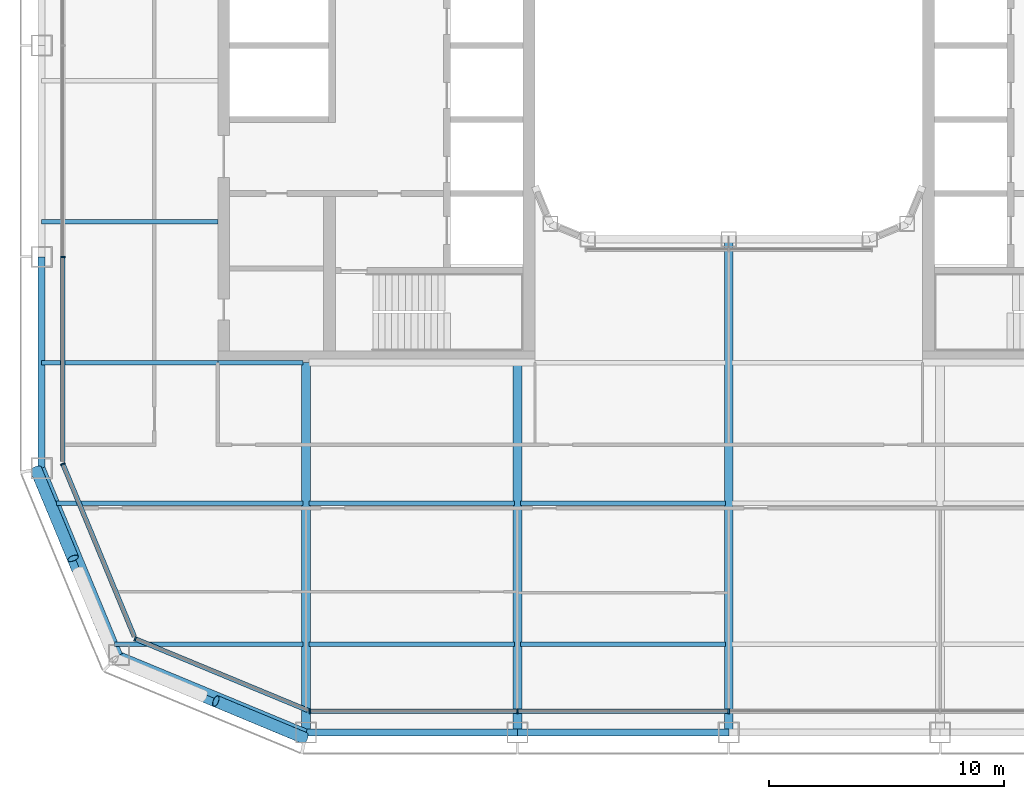
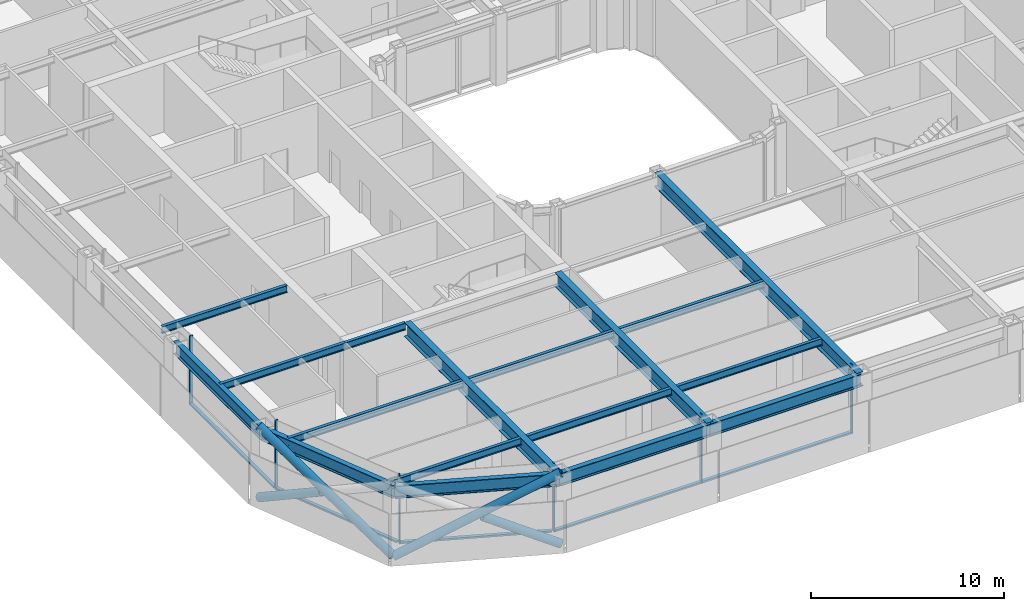
# One storey, part 2 of 24: 17 beams, 15 members, 4 elements without a shape of their own.
"""IFC4 building model written with IfcOpenShell, lengths in metres."""

import ifcopenshell
import ifcopenshell.guid

model = None  # the IFC model being written
_history = None  # IfcOwnerHistory: only IFC2X3 demands one
_inside = {}  # id of a spatial element -> (the spatial element, [elements in it])
_under = {}  # id of a project, library or spatial element -> (it, [spatial elements below it])
_declared = {}  # id of a project -> (the project, [libraries it declares])
_typed = {}  # id of a type object -> (the type object, [elements of that type])
_made_of = {}  # id of a material, layer set ... -> (it, [elements and type objects made of it])


def new_model(schema):
    """Start an empty IFC model of exactly this schema.

    Asked for "IFC4X3", IfcOpenShell would pick the latest addendum, in which some entities
    have other attributes; the version numbers below select the first issue.
    IFC2X3 requires an IfcOwnerHistory on every rooted entity: one is made here for all.
    """
    global model, _history
    if schema == "IFC4X3":
        model = ifcopenshell.file(schema_version=(4, 3, 0, 0))
    else:
        model = ifcopenshell.file(schema=schema)
    _inside.clear()
    _under.clear()
    _declared.clear()
    _typed.clear()
    _made_of.clear()
    _history = None
    if model.schema == "IFC2X3":
        org = make("IfcOrganization", Name="unknown")
        user = make(
            "IfcPersonAndOrganization",
            ThePerson=make("IfcPerson", FamilyName="unknown"),
            TheOrganization=org,
        )
        app = make(
            "IfcApplication",
            ApplicationDeveloper=org,
            Version="unknown",
            ApplicationFullName="unknown",
            ApplicationIdentifier="unknown",
        )
        _history = make(
            "IfcOwnerHistory",
            OwningUser=user,
            OwningApplication=app,
            ChangeAction="ADDED",
            CreationDate=0,
        )
    return model


def make(cls, **values):
    """One entity of the class cls with the attributes given. An attribute that is None is left unset."""
    return model.create_entity(
        cls, **{name: value for name, value in values.items() if value is not None}
    )


def rooted(cls, **values):
    """An entity with a GlobalId (a new one), such as an element, a storey or a relation."""
    return make(cls, GlobalId=ifcopenshell.guid.new(), OwnerHistory=_history, **values)


def si_unit(unit_type, name, prefix=None):
    """IfcSIUnit, for example si_unit("LENGTHUNIT", "METRE", prefix="MILLI")."""
    return make("IfcSIUnit", UnitType=unit_type, Prefix=prefix, Name=name)


def assignment(units):
    """IfcUnitAssignment: the units of a project."""
    return None if units is None else make("IfcUnitAssignment", Units=units)


def point(xyz):
    """IfcCartesianPoint."""
    return None if xyz is None else make("IfcCartesianPoint", Coordinates=xyz)


def direction(xyz):
    """IfcDirection."""
    return None if xyz is None else make("IfcDirection", DirectionRatios=xyz)


def frame(location, z_axis=None, x_axis=None):
    """IfcAxis2Placement3D, a coordinate frame: its origin and axes. An axis left out is left unset."""
    return make(
        "IfcAxis2Placement3D",
        Location=point(location),
        Axis=direction(z_axis),
        RefDirection=direction(x_axis),
    )


def frame_2d(location, x_axis=None):
    """IfcAxis2Placement2D, a coordinate frame in the plane: its origin and x axis."""
    return make(
        "IfcAxis2Placement2D", Location=point(location), RefDirection=direction(x_axis)
    )


def origin():
    """The frame at (0, 0, 0) with its axes left unset."""
    return frame((0.0, 0.0, 0.0))


def origin_2d():
    """The frame at (0, 0) in the plane with its x axis left unset."""
    return frame_2d((0.0, 0.0))


def place(relative_to, where):
    """IfcLocalPlacement: puts the frame where relative to a parent placement (None: the world)."""
    return make(
        "IfcLocalPlacement", PlacementRelTo=relative_to, RelativePlacement=where
    )


def context(
    kind, dimensions, precision=None, world=None, true_north=None, identifier=None
):
    """IfcGeometricRepresentationContext, for example the 3D "Model" context."""
    return make(
        "IfcGeometricRepresentationContext",
        ContextIdentifier=identifier,
        ContextType=kind,
        CoordinateSpaceDimension=dimensions,
        Precision=precision,
        WorldCoordinateSystem=world,
        TrueNorth=true_north,
    )


def subcontext(parent, identifier, kind, view, scale=None):
    """IfcGeometricRepresentationSubContext, for example "Body" below "Model"."""
    return make(
        "IfcGeometricRepresentationSubContext",
        ContextIdentifier=identifier,
        ContextType=kind,
        ParentContext=parent,
        TargetScale=scale,
        TargetView=view,
    )


def project(units=None, contexts=None):
    """IfcProject with its units and contexts."""
    return rooted(
        "IfcProject",
        Name="project",
        RepresentationContexts=contexts,
        UnitsInContext=assignment(units),
    )


def spatial(cls, under=None, at=None, **own):
    """A site, building, storey or space (cls), placed at a placement, below another one or the project."""
    s = rooted(cls, ObjectPlacement=at, **own)
    if under is not None:
        _under.setdefault(under.id(), (under, []))[1].append(s)
    return s


def profile(cls, at=None, kind="AREA", **sizes):
    """A parametric profile (cls). Its sizes go by their IFC names, for example OverallWidth=200.0."""
    return make(cls, ProfileType=kind, Position=at, **sizes)


def rectangle(**sizes):
    """IfcRectangleProfileDef."""
    return profile("IfcRectangleProfileDef", **sizes)


def hollow_circle(**sizes):
    """IfcCircleHollowProfileDef."""
    return profile("IfcCircleHollowProfileDef", **sizes)


def i_section(**sizes):
    """IfcIShapeProfileDef."""
    return profile("IfcIShapeProfileDef", **sizes)


def extrude(swept, where, along, depth):
    """IfcExtrudedAreaSolid: the profile swept, set in the frame where, extruded along a direction by depth."""
    return make(
        "IfcExtrudedAreaSolid",
        SweptArea=swept,
        Position=where,
        ExtrudedDirection=direction(along),
        Depth=depth,
    )


def shape(context_of_items, identifier, shape_type, items):
    """IfcShapeRepresentation: the items that make up one representation, for example the "Body"."""
    return make(
        "IfcShapeRepresentation",
        ContextOfItems=context_of_items,
        RepresentationIdentifier=identifier,
        RepresentationType=shape_type,
        Items=items,
    )


def material(Name=None, Category=None):
    """IfcMaterial."""
    return make("IfcMaterial", Name=Name, Category=Category)


def layer(
    of_material, thickness, ventilated=None, Name=None, Category=None, Priority=None
):
    """IfcMaterialLayer: one layer of a wall or slab, of a material (None: an air gap)."""
    return make(
        "IfcMaterialLayer",
        Material=of_material,
        LayerThickness=thickness,
        IsVentilated=ventilated,
        Name=Name,
        Category=Category,
        Priority=Priority,
    )


def layer_set(layers, Name=None):
    """IfcMaterialLayerSet."""
    return make("IfcMaterialLayerSet", MaterialLayers=layers, LayerSetName=Name)


def material_profile(
    of_material, cross_section, Name=None, Category=None, Priority=None
):
    """IfcMaterialProfile: a cross section and its material."""
    return make(
        "IfcMaterialProfile",
        Name=Name,
        Material=of_material,
        Profile=cross_section,
        Priority=Priority,
        Category=Category,
    )


def profile_set(profiles, Name=None, composite=None):
    """IfcMaterialProfileSet."""
    return make(
        "IfcMaterialProfileSet",
        Name=Name,
        MaterialProfiles=profiles,
        CompositeProfile=composite,
    )


def made_of(thing, what):
    """Note that an element or type object is made of a material, layer set ...; save() writes the relation."""
    if what is not None:
        _made_of.setdefault(what.id(), (what, []))[1].append(thing)
    return thing


def type_object(cls, material=None, **own):
    """A type object (cls), such as IfcWallType, which elements share."""
    return made_of(rooted(cls, **own), material)


def element(
    cls,
    number,
    at=None,
    inside=None,
    cuts=None,
    type_object=None,
    material=None,
    context=None,
    identifier="Body",
    shape_type=None,
    held_by="IfcProductDefinitionShape",
    body=None,
    shapes=None,
    **own,
):
    """One element of the class cls, such as IfcWall. Its Tag is "e" and its number.

    at: its placement. inside: the storey or other place that contains it. cuts: it is an
    opening in that element (IfcRelVoidsElement). A single representation is given by context,
    identifier, shape_type and body (its items); several are given by shapes. held_by: the class
    of the entity that holds the representations. save() writes the other relations.
    """
    e = rooted(cls, Tag="e%d" % number, ObjectPlacement=at, **own)
    if body is not None:
        shapes = [shape(context, identifier, shape_type, body)]
    if shapes is not None:
        e.Representation = make(held_by, Representations=shapes)
    if inside is not None:
        _inside.setdefault(inside.id(), (inside, []))[1].append(e)
    if cuts is not None:
        rooted(
            "IfcRelVoidsElement", RelatingBuildingElement=cuts, RelatedOpeningElement=e
        )
    if type_object is not None:
        _typed.setdefault(type_object.id(), (type_object, []))[1].append(e)
    return made_of(e, material)


def aggregate(whole, parts):
    """IfcRelAggregates: a whole, such as a stair, and the parts it consists of."""
    return rooted("IfcRelAggregates", RelatingObject=whole, RelatedObjects=parts)


def save(model, path):
    """Write the relations noted so far, then the file.

    IfcRelAggregates (storeys below a building ...), IfcRelContainedInSpatialStructure (elements
    in a storey), IfcRelDefinesByType, IfcRelAssociatesMaterial and IfcRelDeclares: one each for
    every whole, place, type object, material and project.
    """
    for whole, parts in _under.values():
        aggregate(whole, parts)
    for where, things in _inside.values():
        rooted(
            "IfcRelContainedInSpatialStructure",
            RelatedElements=things,
            RelatingStructure=where,
        )
    for kind, things in _typed.values():
        rooted("IfcRelDefinesByType", RelatedObjects=things, RelatingType=kind)
    for what, things in _made_of.values():
        rooted("IfcRelAssociatesMaterial", RelatedObjects=things, RelatingMaterial=what)
    for by, libraries in _declared.values():
        rooted("IfcRelDeclares", RelatingContext=by, RelatedDefinitions=libraries)
    model.write(path)


model = new_model("IFC4")

# Units and contexts
model_context = context("Model", 3, precision=1e-05, world=origin(), true_north=direction((0.0, 1.0)))
body_context = subcontext(model_context, "Body", "Model", "MODEL_VIEW")
ifc_project = project(units=[si_unit("LENGTHUNIT", "METRE"), si_unit("AREAUNIT", "SQUARE_METRE"), si_unit("VOLUMEUNIT", "CUBIC_METRE"), si_unit("PLANEANGLEUNIT", "RADIAN"), si_unit("MASSUNIT", "GRAM", prefix="KILO")], contexts=[model_context])

# Site, building, storey
site_placement = place(None, origin())
site = spatial("IfcSite", under=ifc_project, at=site_placement, CompositionType="ELEMENT")
building_placement = place(site_placement, origin())
building = spatial("IfcBuilding", under=site, at=building_placement, Name="Siwar Civic Tower", CompositionType="ELEMENT")
storey_placement = place(building_placement, frame((0.0, 0.0, 149.699951171875)))
storey = spatial("IfcBuildingStorey", under=building, at=storey_placement, Name="L32", CompositionType="ELEMENT", Elevation=149.699951171875)

# Curtain wall, members
ifc_material_1 = material(Name="Aluminium and glass", Category="aluminium")
ifc_layer_1 = layer(ifc_material_1, 0.199951171875)
ifc_layer_set_1 = layer_set([ifc_layer_1], Name="Aluminium and glass")
curtain_wall_type_1 = type_object("IfcCurtainWallType", Name="ENV-CW-B", PredefinedType="NOTDEFINED", material=ifc_layer_set_1)
curtain_wall_1_placement = place(storey_placement, origin())
curtain_wall_1 = element("IfcCurtainWall", 1, at=curtain_wall_1_placement, inside=storey, type_object=curtain_wall_type_1, Name="Curtain wall B S", PredefinedType="NOTDEFINED")
ifc_material_2 = material(Name="Aluminium 6063-T6", Category="aluminium")
ifc_material_profile_1 = material_profile(ifc_material_2, rectangle(XDim=0.199951171875, YDim=0.06494140625, at=origin_2d()), Name="AL 200x65")
ifc_profile_set_1 = profile_set([ifc_material_profile_1], Name="Aluminium 6063-T6")
member_type_1 = type_object("IfcMemberType", Name="ENV-MULLION-B", PredefinedType="MULLION", material=ifc_profile_set_1)
member_1_placement = place(storey_placement, frame((-17.821044921875, -28.35009765625, 0.0), z_axis=(0.0, 0.0, 1.0), x_axis=(0.0, 1.0, 0.0)))
member_1 = element("IfcMember", 2, at=member_1_placement, type_object=member_type_1, Name="Mullion B S 1", PredefinedType="MULLION", context=body_context, shape_type="SweptSolid", body=[
    extrude(rectangle(XDim=0.199951171875, YDim=0.06494140625, at=origin_2d()), origin(), (0.0, 0.0, 1.0), 4.35009765625),
])
member_2_placement = place(storey_placement, frame((-9.0, -28.35009765625, 0.0), z_axis=(0.0, 0.0, 1.0), x_axis=(0.0, 1.0, 0.0)))
member_2 = element("IfcMember", 3, at=member_2_placement, type_object=member_type_1, Name="Mullion B S 2", PredefinedType="MULLION", context=body_context, shape_type="SweptSolid", body=[
    extrude(rectangle(XDim=0.199951171875, YDim=0.06494140625, at=origin_2d()), origin(), (0.0, 0.0, 1.0), 4.35009765625),
])
member_3_placement = place(storey_placement, frame((0.0, -28.35009765625, 0.0), z_axis=(0.0, 0.0, 1.0), x_axis=(0.0, 1.0, 0.0)))
member_3 = element("IfcMember", 4, at=member_3_placement, type_object=member_type_1, Name="Mullion B S 3", PredefinedType="MULLION", context=body_context, shape_type="SweptSolid", body=[
    extrude(rectangle(XDim=0.199951171875, YDim=0.06494140625, at=origin_2d()), origin(), (0.0, 0.0, 1.0), 4.35009765625),
])

# Curtain wall, member
curtain_wall_2_placement = place(storey_placement, origin())
curtain_wall_2 = element("IfcCurtainWall", 5, at=curtain_wall_2_placement, inside=storey, type_object=curtain_wall_type_1, Name="Curtain wall B W", PredefinedType="NOTDEFINED")
member_4_placement = place(storey_placement, frame((-28.35009765625, -9.0, 0.0), z_axis=(0.0, 0.0, 1.0), x_axis=(1.0, 0.0, 0.0)))
member_4 = element("IfcMember", 6, at=member_4_placement, type_object=member_type_1, Name="Mullion B W 4", PredefinedType="MULLION", context=body_context, shape_type="SweptSolid", body=[
    extrude(rectangle(XDim=0.199951171875, YDim=0.06494140625, at=origin_2d()), origin(), (0.0, 0.0, 1.0), 4.35009765625),
])

ifc_material_3 = material(Name="Aluminium clad insulated panel", Category="aluminium")
ifc_layer_2 = layer(ifc_material_3, 0.199951171875)
ifc_layer_set_2 = layer_set([ifc_layer_2], Name="Aluminium clad insulated panel")
curtain_wall_type_2 = type_object("IfcCurtainWallType", Name="ENV-CW-BX", PredefinedType="NOTDEFINED", material=ifc_layer_set_2)
curtain_wall_3_placement = place(storey_placement, origin())
curtain_wall_3 = element("IfcCurtainWall", 7, at=curtain_wall_3_placement, inside=storey, type_object=curtain_wall_type_2, Name="Curtain wall B SW1", PredefinedType="NOTDEFINED")
member_5_placement = place(storey_placement, frame((-28.35009765625, -17.821044921875, 0.0), z_axis=(0.0, 0.0, 1.0), x_axis=(0.923879532511, 0.382683432365, 0.0)))
member_5 = element("IfcMember", 8, at=member_5_placement, type_object=member_type_1, Name="Mullion B SW1 1", PredefinedType="MULLION", context=body_context, shape_type="SweptSolid", body=[
    extrude(rectangle(XDim=0.199951171875, YDim=0.06494140625, at=origin_2d()), origin(), (0.0, 0.0, 1.0), 4.35009765625),
])

curtain_wall_4_placement = place(storey_placement, origin())
curtain_wall_4 = element("IfcCurtainWall", 9, at=curtain_wall_4_placement, inside=storey, type_object=curtain_wall_type_2, Name="Curtain wall B SW2", PredefinedType="NOTDEFINED")
member_6_placement = place(storey_placement, frame((-25.26611328125, -25.26611328125, 0.0), z_axis=(0.0, 0.0, 1.0), x_axis=(0.382683432365, 0.923879532511, 0.0)))
member_6 = element("IfcMember", 10, at=member_6_placement, type_object=member_type_1, Name="Mullion B SW2 1", PredefinedType="MULLION", context=body_context, shape_type="SweptSolid", body=[
    extrude(rectangle(XDim=0.199951171875, YDim=0.06494140625, at=origin_2d()), origin(), (0.0, 0.0, 1.0), 4.35009765625),
])

# Member
ifc_material_4 = material(Name="Aluminium 6063-T6", Category="aluminium")
ifc_material_profile_2 = material_profile(ifc_material_4, rectangle(XDim=0.199951171875, YDim=0.110107421875, at=origin_2d()), Name="AL 200x110")
ifc_profile_set_2 = profile_set([ifc_material_profile_2], Name="Aluminium 6063-T6")
member_type_2 = type_object("IfcMemberType", Name="ENV-TRANSOM-B", PredefinedType="USERDEFINED", material=ifc_profile_set_2)
member_7_placement = place(storey_placement, frame((-17.78857421875, -28.35009765625, 0.054931640625), z_axis=(1.0, 0.0, 0.0), x_axis=(0.0, 1.0, 0.0)))
member_7 = element("IfcMember", 11, at=member_7_placement, type_object=member_type_2, Name="Transom B S 1", ObjectType="TRANSOM", PredefinedType="USERDEFINED", context=body_context, shape_type="SweptSolid", body=[
    extrude(rectangle(XDim=0.199951171875, YDim=0.110107421875, at=origin_2d()), origin(), (0.0, 0.0, 1.0), 8.756103515625),
])

member_8_placement = place(storey_placement, frame((-8.967529296875, -28.35009765625, 0.054931640625), z_axis=(1.0, 0.0, 0.0), x_axis=(0.0, 1.0, 0.0)))
member_8 = element("IfcMember", 12, at=member_8_placement, type_object=member_type_2, Name="Transom B S 2", ObjectType="TRANSOM", PredefinedType="USERDEFINED", context=body_context, shape_type="SweptSolid", body=[
    extrude(rectangle(XDim=0.199951171875, YDim=0.110107421875, at=origin_2d()), origin(), (0.0, 0.0, 1.0), 8.93505859375),
])

aggregate(curtain_wall_1, [member_1, member_2, member_3, member_7, member_8])

member_9_placement = place(storey_placement, frame((-28.35009765625, -9.032470703125, 0.054931640625), z_axis=(0.0, -1.0, 0.0), x_axis=(1.0, 0.0, 0.0)))
member_9 = element("IfcMember", 13, at=member_9_placement, type_object=member_type_2, Name="Transom B W 4", ObjectType="TRANSOM", PredefinedType="USERDEFINED", context=body_context, shape_type="SweptSolid", body=[
    extrude(rectangle(XDim=0.199951171875, YDim=0.110107421875, at=origin_2d()), origin(), (0.0, 0.0, 1.0), 8.6748046875),
])

aggregate(curtain_wall_2, [member_4, member_9])

member_10_placement = place(storey_placement, frame((-28.337646484375, -17.85107421875, 0.054931640625), z_axis=(0.382699695651, -0.92387279587, 0.0), x_axis=(0.92387279587, 0.382699695651, 0.0)))
member_10 = element("IfcMember", 14, at=member_10_placement, type_object=member_type_2, Name="Transom B SW1 1", ObjectType="TRANSOM", PredefinedType="USERDEFINED", context=body_context, shape_type="SweptSolid", body=[
    extrude(rectangle(XDim=0.199951171875, YDim=0.110107421875, at=origin_2d()), origin(), (0.0, 0.0, 1.0), 7.912353515625),
])

aggregate(curtain_wall_3, [member_5, member_10])

member_11_placement = place(storey_placement, frame((-25.236083984375, -25.278564453125, 0.054931640625), z_axis=(0.923883705044, -0.382673358825, 0.0), x_axis=(0.382673358825, 0.923883705044, 0.0)))
member_11 = element("IfcMember", 15, at=member_11_placement, type_object=member_type_2, Name="Transom B SW2 1", ObjectType="TRANSOM", PredefinedType="USERDEFINED", context=body_context, shape_type="SweptSolid", body=[
    extrude(rectangle(XDim=0.199951171875, YDim=0.110107421875, at=origin_2d()), origin(), (0.0, 0.0, 1.0), 7.912353515625),
])

aggregate(curtain_wall_4, [member_6, member_11])

# Members
ifc_material_5 = material(Name="Steel S355", Category="steel")
ifc_material_profile_3 = material_profile(ifc_material_5, hollow_circle(Radius=0.25390625, WallThickness=0.02490234375, at=origin_2d()), Name="CHS508x25")
ifc_profile_set_3 = profile_set([ifc_material_profile_3], Name="Steel S355")
member_type_3 = type_object("IfcMemberType", Name="STR-BR-CHS508x25", PredefinedType="BRACE", material=ifc_profile_set_3)
member_12_placement = place(storey_placement, frame((-26.1318359375, -26.1318359375, 0.0), z_axis=(0.821142553604, -0.341671493852, 0.457149315816), x_axis=(0.384163874976, 0.923264922524, 0.0)))
element("IfcMember", 16, at=member_12_placement, inside=storey, type_object=member_type_3, Name="L32/brc/BSW1-11-0-1", PredefinedType="BRACE", context=body_context, shape_type="SweptSolid", body=[
    extrude(hollow_circle(Radius=0.25390625, WallThickness=0.02490234375, at=origin_2d()), origin(), (0.0, 0.0, 1.0), 9.843505859375),
])
member_13_placement = place(storey_placement, frame((-18.048828125, -29.4951171875, 0.0), z_axis=(-0.821126041429, 0.341677318012, 0.457174621391), x_axis=(-0.384176042158, -0.923259859753, 0.0)))
element("IfcMember", 17, at=member_13_placement, inside=storey, type_object=member_type_3, Name="L32/brc/BSW1-11-0-2", PredefinedType="BRACE", context=body_context, shape_type="SweptSolid", body=[
    extrude(hollow_circle(Radius=0.25390625, WallThickness=0.02490234375, at=origin_2d()), origin(), (0.0, 0.0, 1.0), 4.614501953125),
])
member_14_placement = place(storey_placement, frame((-26.1318359375, -26.1318359375, 0.0), z_axis=(-0.341671493852, 0.821142553604, 0.457149315816), x_axis=(-0.923264922524, -0.384163874976, 0.0)))
element("IfcMember", 18, at=member_14_placement, inside=storey, type_object=member_type_3, Name="L32/brc/BSW1-11-0-0", PredefinedType="BRACE", context=body_context, shape_type="SweptSolid", body=[
    extrude(hollow_circle(Radius=0.25390625, WallThickness=0.02490234375, at=origin_2d()), origin(), (0.0, 0.0, 1.0), 9.843505859375),
])
member_15_placement = place(storey_placement, frame((-29.4951171875, -18.048828125, 0.0), z_axis=(0.341677318012, -0.821126041429, 0.457174621391), x_axis=(0.923259859753, 0.384176042158, 0.0)))
element("IfcMember", 19, at=member_15_placement, inside=storey, type_object=member_type_3, Name="L32/brc/BSW1-11-0-4", PredefinedType="BRACE", context=body_context, shape_type="SweptSolid", body=[
    extrude(hollow_circle(Radius=0.25390625, WallThickness=0.02490234375, at=origin_2d()), origin(), (0.0, 0.0, 1.0), 4.614501953125),
])

# Beams
ifc_material_6 = material(Name="Steel S355", Category="steel")
ifc_material_profile_4 = material_profile(ifc_material_6, i_section(OverallWidth=0.18994140625, OverallDepth=0.449951171875, WebThickness=0.009521484375, FlangeThickness=0.0146484375, FilletRadius=0.02099609375, at=origin_2d()), Name="IPE450")
ifc_profile_set_4 = profile_set([ifc_material_profile_4], Name="Steel S355")
beam_type_1 = type_object("IfcBeamType", Name="STR-FB-IPE450", PredefinedType="JOIST", material=ifc_profile_set_4)
beam_1_placement = place(storey_placement, frame((-26.143310546875, -25.5, 4.125), z_axis=(1.0, 0.0, 0.0), x_axis=(0.0, 1.0, 0.0)))
element("IfcBeam", 20, at=beam_1_placement, inside=storey, type_object=beam_type_1, Name="L32/bm/F001", PredefinedType="JOIST", context=body_context, shape_type="SweptSolid", body=[
    extrude(i_section(OverallWidth=0.18994140625, OverallDepth=0.449951171875, WebThickness=0.009521484375, FlangeThickness=0.0146484375, FilletRadius=0.02099609375, at=origin_2d()), origin(), (0.0, 0.0, 1.0), 8.013427734375),
])
for number, where, z_axis, x_axis, name in (
    (21, (-17.8701171875, -25.5, 4.125), (1.0, 0.0, 0.0), (0.0, 1.0, 0.0), "L32/bm/F002"),
    (22, (-8.8701171875, -25.5, 4.125), (1.0, 0.0, 0.0), (0.0, 1.0, 0.0), "L32/bm/F003"),
):
    element("IfcBeam", number, at=place(storey_placement, frame(where, z_axis=z_axis, x_axis=x_axis)), inside=storey, type_object=beam_type_1, Name=name, PredefinedType="JOIST", context=body_context, shape_type="SweptSolid", body=[
        extrude(i_section(OverallWidth=0.18994140625, OverallDepth=0.449951171875, WebThickness=0.009521484375, FlangeThickness=0.0146484375, FilletRadius=0.02099609375, at=origin_2d()), origin(), (0.0, 0.0, 1.0), 8.740234375),
    ])
beam_2_placement = place(storey_placement, frame((-28.628662109375, -19.5, 4.125), z_axis=(1.0, 0.0, 0.0), x_axis=(0.0, 1.0, 0.0)))
element("IfcBeam", 23, at=beam_2_placement, inside=storey, type_object=beam_type_1, Name="L32/bm/F007", PredefinedType="JOIST", context=body_context, shape_type="SweptSolid", body=[
    extrude(i_section(OverallWidth=0.18994140625, OverallDepth=0.449951171875, WebThickness=0.009521484375, FlangeThickness=0.0146484375, FilletRadius=0.02099609375, at=origin_2d()), origin(), (0.0, 0.0, 1.0), 10.498779296875),
])
for number, where, z_axis, x_axis, name in (
    (24, (-17.8701171875, -19.5, 4.125), (1.0, 0.0, 0.0), (0.0, 1.0, 0.0), "L32/bm/F008"),
    (25, (-8.8701171875, -19.5, 4.125), (1.0, 0.0, 0.0), (0.0, 1.0, 0.0), "L32/bm/F009"),
):
    element("IfcBeam", number, at=place(storey_placement, frame(where, z_axis=z_axis, x_axis=x_axis)), inside=storey, type_object=beam_type_1, Name=name, PredefinedType="JOIST", context=body_context, shape_type="SweptSolid", body=[
        extrude(i_section(OverallWidth=0.18994140625, OverallDepth=0.449951171875, WebThickness=0.009521484375, FlangeThickness=0.0146484375, FilletRadius=0.02099609375, at=origin_2d()), origin(), (0.0, 0.0, 1.0), 8.740234375),
    ])
beam_3_placement = place(storey_placement, frame((-29.25, -13.5, 4.125), z_axis=(1.0, 0.0, 0.0), x_axis=(0.0, 1.0, 0.0)))
element("IfcBeam", 26, at=beam_3_placement, inside=storey, type_object=beam_type_1, Name="L32/bm/F013", PredefinedType="JOIST", context=body_context, shape_type="SweptSolid", body=[
    extrude(i_section(OverallWidth=0.18994140625, OverallDepth=0.449951171875, WebThickness=0.009521484375, FlangeThickness=0.0146484375, FilletRadius=0.02099609375, at=origin_2d()), origin(), (0.0, 0.0, 1.0), 7.5),
])
beam_4_placement = place(storey_placement, frame((-21.75, -13.5, 4.125), z_axis=(1.0, 0.0, 0.0), x_axis=(0.0, 1.0, 0.0)))
element("IfcBeam", 27, at=beam_4_placement, inside=storey, type_object=beam_type_1, Name="L32/bm/F014", PredefinedType="JOIST", context=body_context, shape_type="SweptSolid", body=[
    extrude(i_section(OverallWidth=0.18994140625, OverallDepth=0.449951171875, WebThickness=0.009521484375, FlangeThickness=0.0146484375, FilletRadius=0.02099609375, at=origin_2d()), origin(), (0.0, 0.0, 1.0), 3.6201171875),
])
beam_5_placement = place(storey_placement, frame((-29.25, -7.5, 4.125), z_axis=(1.0, 0.0, 0.0), x_axis=(0.0, 1.0, 0.0)))
element("IfcBeam", 28, at=beam_5_placement, inside=storey, type_object=beam_type_1, Name="L32/bm/F021", PredefinedType="JOIST", context=body_context, shape_type="SweptSolid", body=[
    extrude(i_section(OverallWidth=0.18994140625, OverallDepth=0.449951171875, WebThickness=0.009521484375, FlangeThickness=0.0146484375, FilletRadius=0.02099609375, at=origin_2d()), origin(), (0.0, 0.0, 1.0), 7.5),
])
ifc_material_7 = material(Name="Steel S355", Category="steel")
ifc_material_profile_5 = material_profile(ifc_material_7, i_section(OverallWidth=0.3798828125, OverallDepth=0.89990234375, WebThickness=0.01611328125, FlangeThickness=0.035888671875, at=origin_2d()), Name="PG900x380x16x36")
ifc_profile_set_5 = profile_set([ifc_material_profile_5], Name="Steel S355")
beam_type_2 = type_object("IfcBeamType", Name="STR-PG-PG900x380x16x36", PredefinedType="BEAM", material=ifc_profile_set_5)
for number, where, z_axis, x_axis, name in (
    (29, (-18.0, -29.25, 3.900146484375), (0.0, 1.0, 0.0), (-1.0, 0.0, 0.0), "L32/bm/G01"),
    (30, (-9.0, -29.25, 3.900146484375), (0.0, 1.0, 0.0), (-1.0, 0.0, 0.0), "L32/bm/G03"),
):
    element("IfcBeam", number, at=place(storey_placement, frame(where, z_axis=z_axis, x_axis=x_axis)), inside=storey, type_object=beam_type_2, Name=name, PredefinedType="BEAM", context=body_context, shape_type="SweptSolid", body=[
        extrude(i_section(OverallWidth=0.3798828125, OverallDepth=0.89990234375, WebThickness=0.01611328125, FlangeThickness=0.035888671875, at=origin_2d()), origin(), (0.0, 0.0, 1.0), 15.75),
    ])
beam_6_placement = place(storey_placement, frame((0.0, -29.25, 3.900146484375), z_axis=(0.0, 1.0, 0.0), x_axis=(-1.0, 0.0, 0.0)))
element("IfcBeam", 31, at=beam_6_placement, inside=storey, type_object=beam_type_2, Name="L32/bm/G05", PredefinedType="BEAM", context=body_context, shape_type="SweptSolid", body=[
    extrude(i_section(OverallWidth=0.3798828125, OverallDepth=0.89990234375, WebThickness=0.01611328125, FlangeThickness=0.035888671875, at=origin_2d()), origin(), (0.0, 0.0, 1.0), 21.0),
])
ifc_material_8 = material(Name="Steel S355", Category="steel")
ifc_material_profile_6 = material_profile(ifc_material_8, i_section(OverallWidth=0.300048828125, OverallDepth=0.800048828125, WebThickness=0.017578125, FlangeThickness=0.032958984375, FilletRadius=0.030029296875, at=origin_2d()), Name="HEB800")
ifc_profile_set_6 = profile_set([ifc_material_profile_6], Name="Steel S355")
beam_type_3 = type_object("IfcBeamType", Name="STR-SB-HEB800", PredefinedType="BEAM", material=ifc_profile_set_6)
for number, where, z_axis, x_axis, name in (
    (32, (-18.0, -29.25, 3.949951171875), (1.0, 0.0, 0.0), (0.0, 1.0, 0.0), "L32/bm/SS-0"),
    (33, (-9.0, -29.25, 3.949951171875), (1.0, 0.0, 0.0), (0.0, 1.0, 0.0), "L32/bm/SS-1"),
    (34, (-29.25, -9.0, 3.949951171875), (0.0, -1.0, 0.0), (1.0, 0.0, 0.0), "L32/bm/SW-3"),
):
    element("IfcBeam", number, at=place(storey_placement, frame(where, z_axis=z_axis, x_axis=x_axis)), inside=storey, type_object=beam_type_3, Name=name, PredefinedType="BEAM", context=body_context, shape_type="SweptSolid", body=[
        extrude(i_section(OverallWidth=0.300048828125, OverallDepth=0.800048828125, WebThickness=0.017578125, FlangeThickness=0.032958984375, FilletRadius=0.030029296875, at=origin_2d()), origin(), (0.0, 0.0, 1.0), 9.0),
    ])
for number, where, z_axis, x_axis, name in (
    (35, (-29.25, -18.0, 3.949951171875), (0.382699877515, -0.923872720536, 0.0), (0.923872720536, 0.382699877515, 0.0), "L32/bm/SSW1-0"),
    (36, (-25.954833984375, -25.954833984375, 3.949951171875), (0.923872720536, -0.382699877515, 0.0), (0.382699877515, 0.923872720536, 0.0), "L32/bm/SSW2-0"),
):
    element("IfcBeam", number, at=place(storey_placement, frame(where, z_axis=z_axis, x_axis=x_axis)), inside=storey, type_object=beam_type_3, Name=name, PredefinedType="BEAM", context=body_context, shape_type="SweptSolid", body=[
        extrude(i_section(OverallWidth=0.300048828125, OverallDepth=0.800048828125, WebThickness=0.017578125, FlangeThickness=0.032958984375, FilletRadius=0.030029296875, at=origin_2d()), origin(), (0.0, 0.0, 1.0), 8.6103515625),
    ])

save(model, "model.ifc")
